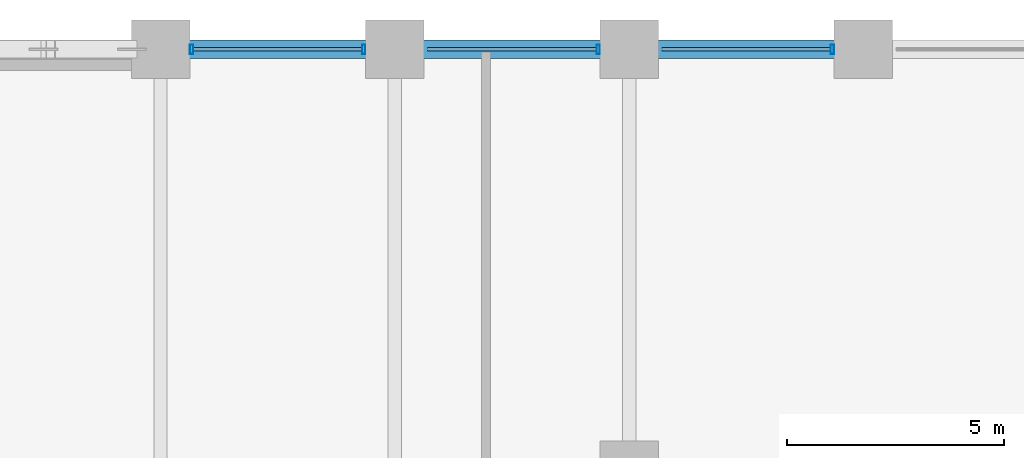
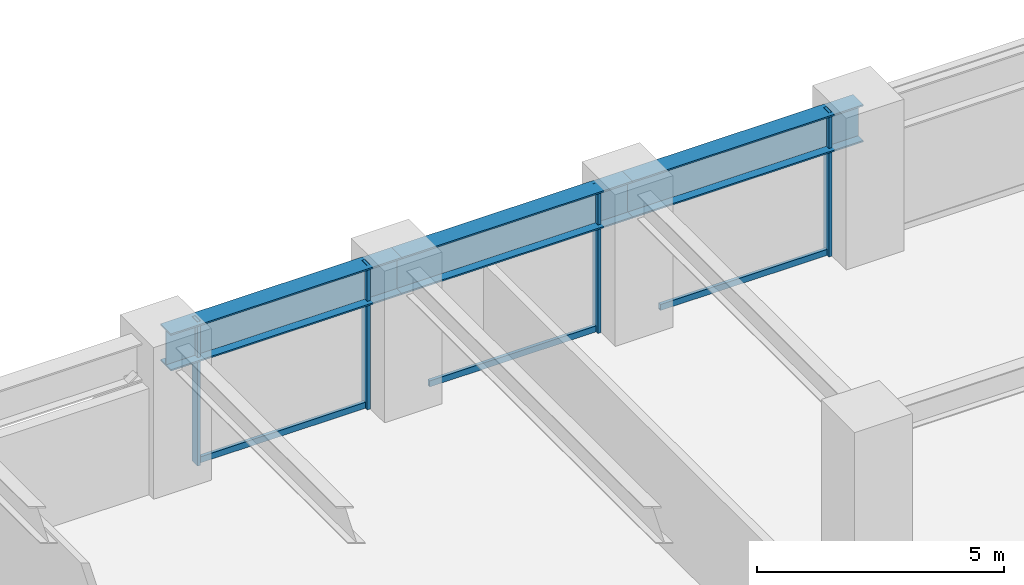
# One storey, part 15 of 25: 7 members, 3 beams, 1 element without a shape of its own.
"""IFC4 building model written with IfcOpenShell, lengths in metres."""

from ifc_helpers import new_model, si_unit, direction, frame, origin, origin_2d, place, context, subcontext, project, spatial, hollow_rectangle, i_section, extrude, material, layer, layer_set, material_profile, profile_set, type_object, element, aggregate, save


model = new_model("IFC4")

# Units and contexts
model_context = context("Model", 3, precision=1e-05, world=origin(), true_north=direction((0.0, 1.0)))
body_context = subcontext(model_context, "Body", "Model", "MODEL_VIEW")
ifc_project = project(units=[si_unit("LENGTHUNIT", "METRE"), si_unit("AREAUNIT", "SQUARE_METRE"), si_unit("VOLUMEUNIT", "CUBIC_METRE"), si_unit("PLANEANGLEUNIT", "RADIAN"), si_unit("MASSUNIT", "GRAM", prefix="KILO")], contexts=[model_context])

# Site, building, storey
site_placement = place(None, origin())
site = spatial("IfcSite", under=ifc_project, at=site_placement, CompositionType="ELEMENT")
building_placement = place(site_placement, origin())
building = spatial("IfcBuilding", under=site, at=building_placement, Name="Surkhivell Harbour Commons", CompositionType="ELEMENT")
storey_placement = place(building_placement, frame((0.0, 0.0, 48.75)))
storey = spatial("IfcBuildingStorey", under=building, at=storey_placement, Name="L12", CompositionType="ELEMENT", Elevation=48.75)

# Beams
ifc_material_1 = material(Name="Steel S460", Category="steel")
ifc_material_profile_1 = material_profile(ifc_material_1, i_section(OverallWidth=0.419921875, OverallDepth=0.9208984375, WebThickness=0.021484375, FlangeThickness=0.03662109375, at=origin_2d()), Name="UB914x419x388")
ifc_profile_set_1 = profile_set([ifc_material_profile_1], Name="Steel S460")
beam_type = type_object("IfcBeamType", Name="BM-SPN-914A", PredefinedType="SPANDREL", material=ifc_profile_set_1)
beam_1_placement = place(storey_placement, frame((5.39990234375, 25.89990234375, 3.109619140625), z_axis=(1.0, 0.0, 0.0), x_axis=(0.0, 1.0, 0.0)))
element("IfcBeam", 1, at=beam_1_placement, inside=storey, type_object=beam_type, Name="L12 Tube Spandrel (5.4,25.9)", PredefinedType="SPANDREL", context=body_context, shape_type="SweptSolid", body=[
    extrude(i_section(OverallWidth=0.419921875, OverallDepth=0.9208984375, WebThickness=0.021484375, FlangeThickness=0.03662109375, at=origin_2d()), origin(), (0.0, 0.0, 1.0), 5.400146484375),
])
beam_2_placement = place(storey_placement, frame((10.800048828125, 25.89990234375, 3.109619140625), z_axis=(1.0, 0.0, 0.0), x_axis=(0.0, 1.0, 0.0)))
element("IfcBeam", 2, at=beam_2_placement, inside=storey, type_object=beam_type, Name="L12 Tube Spandrel (10.8,25.9)", PredefinedType="SPANDREL", context=body_context, shape_type="SweptSolid", body=[
    extrude(i_section(OverallWidth=0.419921875, OverallDepth=0.9208984375, WebThickness=0.021484375, FlangeThickness=0.03662109375, at=origin_2d()), origin(), (0.0, 0.0, 1.0), 5.39990234375),
])
beam_3_placement = place(storey_placement, frame((16.199951171875, 25.89990234375, 3.109619140625), z_axis=(1.0, 0.0, 0.0), x_axis=(0.0, 1.0, 0.0)))
element("IfcBeam", 3, at=beam_3_placement, inside=storey, type_object=beam_type, Name="L12 Tube Spandrel (16.2,25.9)", PredefinedType="SPANDREL", context=body_context, shape_type="SweptSolid", body=[
    extrude(i_section(OverallWidth=0.419921875, OverallDepth=0.9208984375, WebThickness=0.021484375, FlangeThickness=0.03662109375, at=origin_2d()), origin(), (0.0, 0.0, 1.0), 5.400146484375),
])

# Curtain wall, members
ifc_material_2 = material(Name="Anodised pale-metal aluminium and insulated glazing", Category="aluminium")
ifc_layer = layer(ifc_material_2, 0.219970703125)
ifc_layer_set = layer_set([ifc_layer], Name="Anodised pale-metal aluminium and insulated glazing")
curtain_wall_type = type_object("IfcCurtainWallType", Name="CW-SYS-Z1", PredefinedType="NOTDEFINED", material=ifc_layer_set)
curtain_wall_placement = place(storey_placement, origin())
curtain_wall = element("IfcCurtainWall", 4, at=curtain_wall_placement, inside=storey, type_object=curtain_wall_type, Name="L12 Curtain Wall CW-L12-E07S1", PredefinedType="NOTDEFINED")
ifc_material_3 = material(Name="Anodised pale-metal aluminium alloy 6063-T6", Category="aluminium")
ifc_material_profile_2 = material_profile(ifc_material_3, hollow_rectangle(XDim=0.074951171875, YDim=0.219970703125, WallThickness=0.00390625, at=origin_2d()), Name="ALU-MULL-75x220")
ifc_profile_set_2 = profile_set([ifc_material_profile_2], Name="Anodised pale-metal aluminium alloy 6063-T6")
member_type_1 = type_object("IfcMemberType", Name="CWM-220", PredefinedType="MULLION", material=ifc_profile_set_2)
member_1_placement = place(storey_placement, frame((20.885498046875, 25.89990234375, 0.0), z_axis=(0.0, 0.0, 1.0), x_axis=(-1.0, 0.0, 0.0)))
member_1 = element("IfcMember", 5, at=member_1_placement, type_object=member_type_1, Name="CW-Z1 mullion 2", PredefinedType="MULLION", context=body_context, shape_type="SweptSolid", body=[
    extrude(hollow_rectangle(XDim=0.074951171875, YDim=0.219970703125, WallThickness=0.00390625, at=origin_2d()), origin(), (0.0, 0.0, 1.0), 3.570068359375),
])
member_2_placement = place(storey_placement, frame((15.485595703125, 25.89990234375, 0.0), z_axis=(0.0, 0.0, 1.0), x_axis=(-1.0, 0.0, 0.0)))
member_2 = element("IfcMember", 6, at=member_2_placement, type_object=member_type_1, Name="CW-Z1 mullion 3", PredefinedType="MULLION", context=body_context, shape_type="SweptSolid", body=[
    extrude(hollow_rectangle(XDim=0.074951171875, YDim=0.219970703125, WallThickness=0.00390625, at=origin_2d()), origin(), (0.0, 0.0, 1.0), 3.570068359375),
])
member_3_placement = place(storey_placement, frame((10.08544921875, 25.89990234375, 0.0), z_axis=(0.0, 0.0, 1.0), x_axis=(-1.0, 0.0, 0.0)))
member_3 = element("IfcMember", 7, at=member_3_placement, type_object=member_type_1, Name="CW-Z1 mullion 4", PredefinedType="MULLION", context=body_context, shape_type="SweptSolid", body=[
    extrude(hollow_rectangle(XDim=0.074951171875, YDim=0.219970703125, WallThickness=0.00390625, at=origin_2d()), origin(), (0.0, 0.0, 1.0), 3.570068359375),
])
member_4_placement = place(storey_placement, frame((6.114501953125, 25.89990234375, 0.0), z_axis=(0.0, 0.0, 1.0), x_axis=(-1.0, 0.0, 0.0)))
member_4 = element("IfcMember", 8, at=member_4_placement, type_object=member_type_1, Name="CW-Z1 mullion 5", PredefinedType="MULLION", context=body_context, shape_type="SweptSolid", body=[
    extrude(hollow_rectangle(XDim=0.074951171875, YDim=0.219970703125, WallThickness=0.00390625, at=origin_2d()), origin(), (0.0, 0.0, 1.0), 3.570068359375),
])
ifc_material_profile_3 = material_profile(ifc_material_3, hollow_rectangle(XDim=0.074951171875, YDim=0.14990234375, WallThickness=0.00341796875, at=origin_2d()), Name="ALU-TRAN-75x150")
ifc_profile_set_3 = profile_set([ifc_material_profile_3], Name="Anodised pale-metal aluminium alloy 6063-T6")
member_type_2 = type_object("IfcMemberType", Name="CWT-150", PredefinedType="USERDEFINED", material=ifc_profile_set_3)
member_5_placement = place(storey_placement, frame((20.847900390625, 25.89990234375, 0.074951171875), z_axis=(-1.0, 0.0, 0.0), x_axis=(0.0, -1.0, 0.0)))
member_5 = element("IfcMember", 9, at=member_5_placement, type_object=member_type_2, Name="CW-Z1 transom 2.1", ObjectType="TRANSOM", PredefinedType="USERDEFINED", context=body_context, shape_type="SweptSolid", body=[
    extrude(hollow_rectangle(XDim=0.074951171875, YDim=0.14990234375, WallThickness=0.00341796875, at=origin_2d()), origin(), (0.0, 0.0, 1.0), 3.89599609375),
])
member_6_placement = place(storey_placement, frame((15.447998046875, 25.89990234375, 0.074951171875), z_axis=(-1.0, 0.0, 0.0), x_axis=(0.0, -1.0, 0.0)))
member_6 = element("IfcMember", 10, at=member_6_placement, type_object=member_type_2, Name="CW-Z1 transom 3.1", ObjectType="TRANSOM", PredefinedType="USERDEFINED", context=body_context, shape_type="SweptSolid", body=[
    extrude(hollow_rectangle(XDim=0.074951171875, YDim=0.14990234375, WallThickness=0.00341796875, at=origin_2d()), origin(), (0.0, 0.0, 1.0), 3.89599609375),
])
member_7_placement = place(storey_placement, frame((10.048095703125, 25.89990234375, 0.074951171875), z_axis=(-1.0, 0.0, 0.0), x_axis=(0.0, -1.0, 0.0)))
member_7 = element("IfcMember", 11, at=member_7_placement, type_object=member_type_2, Name="CW-Z1 transom 4.1", ObjectType="TRANSOM", PredefinedType="USERDEFINED", context=body_context, shape_type="SweptSolid", body=[
    extrude(hollow_rectangle(XDim=0.074951171875, YDim=0.14990234375, WallThickness=0.00341796875, at=origin_2d()), origin(), (0.0, 0.0, 1.0), 3.89599609375),
])
aggregate(curtain_wall, [member_1, member_5, member_2, member_6, member_3, member_4, member_7])

save(model, "model.ifc")
